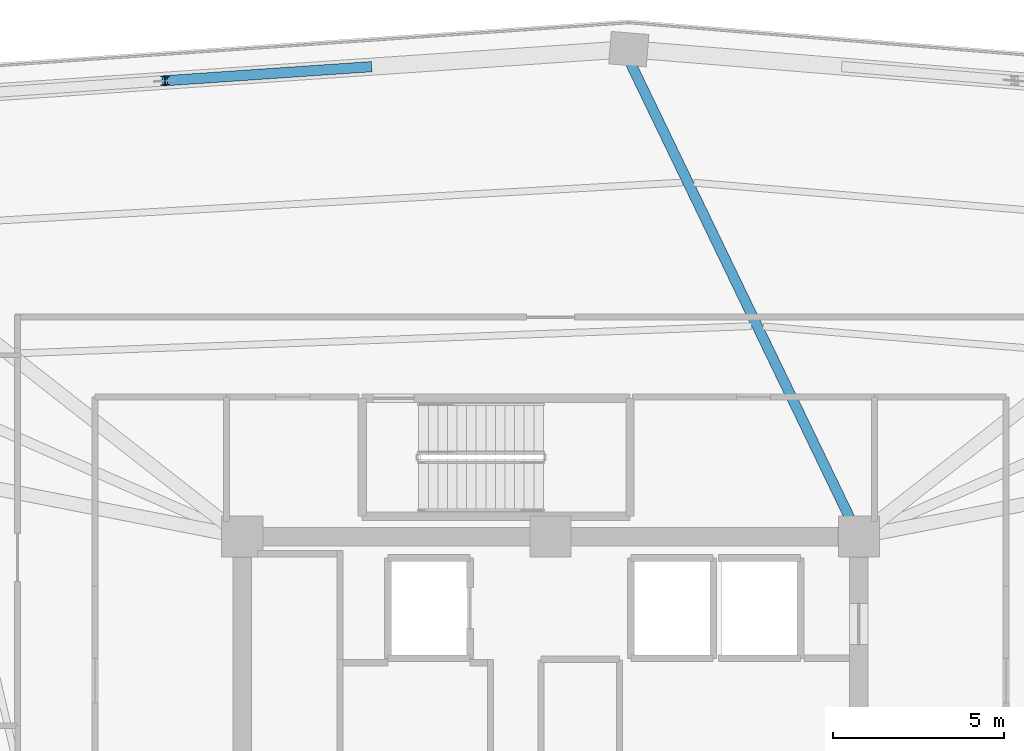
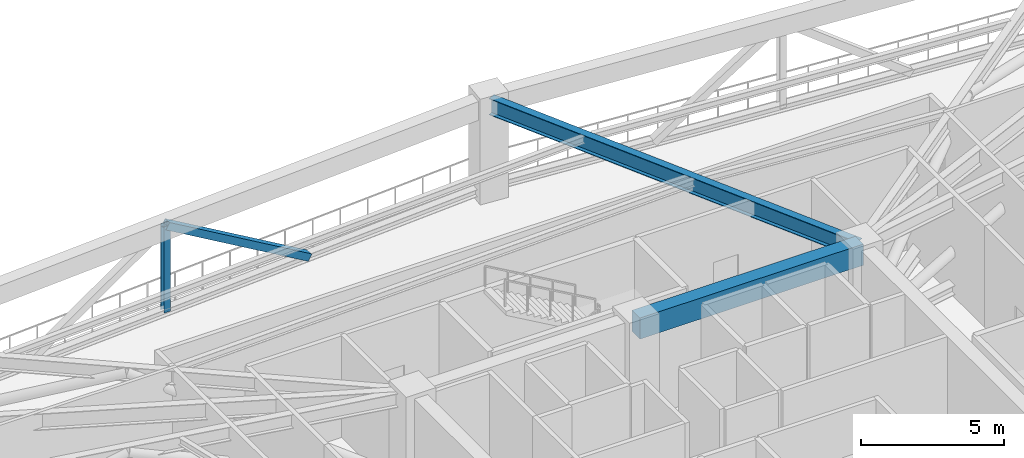
# One storey, part 8 of 22: 2 beams, 2 members.
"""IFC4 building model written with IfcOpenShell, lengths in metres."""

from ifc_helpers import new_model, si_unit, direction, frame, origin, origin_2d, place, context, subcontext, project, spatial, rectangle, hollow_rectangle, i_section, extrude, source, transform, mapped, material, material_profile, profile_set, type_object, element, save


model = new_model("IFC4")

# Units and contexts
model_context = context("Model", 3, precision=1e-05, world=origin(), true_north=direction((0.0, 1.0)))
body_context = subcontext(model_context, "Body", "Model", "MODEL_VIEW")
ifc_project = project(units=[si_unit("LENGTHUNIT", "METRE"), si_unit("AREAUNIT", "SQUARE_METRE"), si_unit("VOLUMEUNIT", "CUBIC_METRE"), si_unit("PLANEANGLEUNIT", "RADIAN"), si_unit("MASSUNIT", "GRAM", prefix="KILO")], contexts=[model_context])

# Site, building, storey
site_placement = place(None, origin())
site = spatial("IfcSite", under=ifc_project, at=site_placement, CompositionType="ELEMENT")
building_placement = place(site_placement, origin())
building = spatial("IfcBuilding", under=site, at=building_placement, Name="Liaohun Quay Tower", CompositionType="ELEMENT")
storey_placement = place(building_placement, frame((0.0, 0.0, 324.0)))
storey = spatial("IfcBuildingStorey", under=building, at=storey_placement, Name="L84", CompositionType="ELEMENT", Elevation=324.0)

# Member
ifc_material_1 = material(Name="Steel Q355D", Category="steel")
ifc_material_profile_1 = material_profile(ifc_material_1, i_section(OverallWidth=0.25, OverallDepth=0.25, WebThickness=0.009033203125, FlangeThickness=0.013916015625, at=origin_2d()), Name="HW250x250x9x14")
ifc_profile_set_1 = profile_set([ifc_material_profile_1], Name="Steel Q355D")
member_type_1 = type_object("IfcMemberType", Name="MEM-BLT-PST", PredefinedType="POST", material=ifc_profile_set_1)
shared_shape_1 = source(origin(), body_context, "Body", "SweptSolid", [
    extrude(i_section(OverallWidth=0.25, OverallDepth=0.25, WebThickness=0.009033203125, FlangeThickness=0.013916015625, at=origin_2d()), origin(), (0.0, 0.0, 1.0), 3.669921875),
])
member_1_placement = place(storey_placement, frame((48.739013671875, 74.81201171875, 0.35009765625), z_axis=(0.0, 0.0, 1.0), x_axis=(1.0, 0.0, 0.0)))
element("IfcMember", 1, at=member_1_placement, inside=storey, type_object=member_type_1, Name="L84 Belt Truss Vertical Post BP-1-03", PredefinedType="POST", context=body_context, shape_type="MappedRepresentation", body=[
    mapped(shared_shape_1, transform((0.0, 0.0, 0.0), x_axis=(1.0, 0.0, 0.0), y_axis=(0.0, 1.0, 0.0), z_axis=(0.0, 0.0, 1.0), scale=1.0)),
])

# Beams
ifc_material_2 = material(Name="Concrete C55", Category="concrete")
ifc_material_profile_2 = material_profile(ifc_material_2, rectangle(XDim=0.550048828125, YDim=0.89990234375, at=origin_2d()), Name="RC550x900")
ifc_profile_set_2 = profile_set([ifc_material_profile_2], Name="Concrete C55")
beam_type_1 = type_object("IfcBeamType", Name="BM-CPL-2", PredefinedType="LINTEL", material=ifc_profile_set_2)
shared_shape_2 = source(origin(), body_context, "Body", "SweptSolid", [
    extrude(rectangle(XDim=0.550048828125, YDim=0.89990234375, at=origin_2d()), origin(), (0.0, 0.0, 1.0), 9.0),
])
beam_1_placement = place(storey_placement, frame((69.0, 61.5, 3.8701171875), z_axis=(-1.0, 0.0, 0.0), x_axis=(0.0, -1.0, 0.0)))
element("IfcBeam", 2, at=beam_1_placement, inside=storey, type_object=beam_type_1, Name="L84 Core Coupling/Ring Beam CC4-CC5", PredefinedType="LINTEL", context=body_context, shape_type="MappedRepresentation", body=[
    mapped(shared_shape_2, transform((0.0, 0.0, 0.0), x_axis=(1.0, 0.0, 0.0), y_axis=(0.0, 1.0, 0.0), z_axis=(0.0, 0.0, 1.0), scale=1.0)),
])
ifc_material_profile_3 = material_profile(ifc_material_1, i_section(OverallWidth=0.300048828125, OverallDepth=0.699951171875, WebThickness=0.012939453125, FlangeThickness=0.02392578125, at=origin_2d()), Name="HN700x300x13x24")
ifc_profile_set_3 = profile_set([ifc_material_profile_3], Name="Steel Q355D")
beam_type_2 = type_object("IfcBeamType", Name="BM-RAD-U1", PredefinedType="BEAM", material=ifc_profile_set_3)
shared_shape_3 = source(origin(), body_context, "Body", "SweptSolid", [
    extrude(i_section(OverallWidth=0.300048828125, OverallDepth=0.699951171875, WebThickness=0.012939453125, FlangeThickness=0.02392578125, at=origin_2d()), origin(), (0.0, 0.0, 1.0), 15.525390625),
])
beam_2_placement = place(storey_placement, frame((69.0, 61.5, 3.969970703125), z_axis=(-0.43425338855, 0.900790760684, 0.0), x_axis=(-0.900790760684, -0.43425338855, 0.0)))
element("IfcBeam", 3, at=beam_2_placement, inside=storey, type_object=beam_type_2, Name="L84 Radial Primary Girder CC4-PC06", PredefinedType="BEAM", context=body_context, shape_type="MappedRepresentation", body=[
    mapped(shared_shape_3, transform((0.0, 0.0, 0.0), x_axis=(1.0, 0.0, 0.0), y_axis=(0.0, 1.0, 0.0), z_axis=(0.0, 0.0, 1.0), scale=1.0)),
])

# Member
ifc_material_profile_4 = material_profile(ifc_material_1, hollow_rectangle(XDim=0.300048828125, YDim=0.300048828125, WallThickness=0.013916015625, at=origin_2d()), Name="SHS300x300x14")
ifc_profile_set_4 = profile_set([ifc_material_profile_4], Name="Steel Q355D")
member_type_2 = type_object("IfcMemberType", Name="MEM-BLT-DG3", PredefinedType="BRACE", material=ifc_profile_set_4)
shared_shape_4 = source(origin(), body_context, "Body", "SweptSolid", [
    extrude(hollow_rectangle(XDim=0.300048828125, YDim=0.300048828125, WallThickness=0.013916015625, at=origin_2d()), origin(), (0.0, 0.0, 1.0), 7.010986328125),
])
member_2_placement = place(storey_placement, frame((48.739013671875, 74.81201171875, 4.02001953125), z_axis=(0.850085577288, 0.057909729438, -0.523451023996), x_axis=(-0.067964717644, 0.997687725271, 0.0)))
element("IfcMember", 4, at=member_2_placement, inside=storey, type_object=member_type_2, Name="L84 Belt Truss Diagonal BD-03B", PredefinedType="BRACE", context=body_context, shape_type="MappedRepresentation", body=[
    mapped(shared_shape_4, transform((0.0, 0.0, 0.0), x_axis=(1.0, 0.0, 0.0), y_axis=(0.0, 1.0, 0.0), z_axis=(0.0, 0.0, 1.0), scale=1.0)),
])

save(model, "model.ifc")
